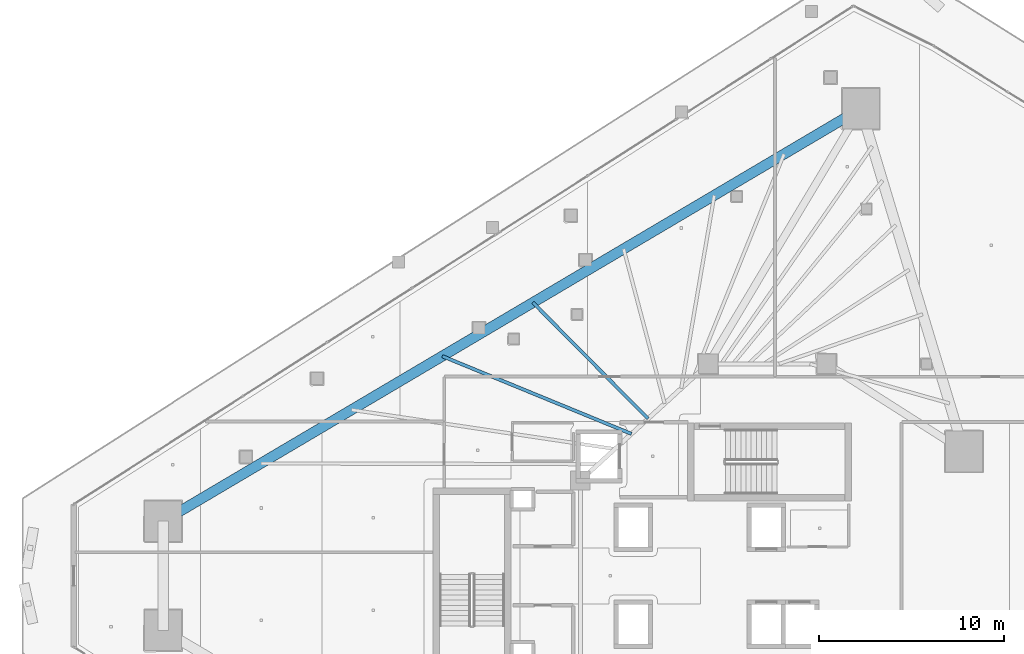
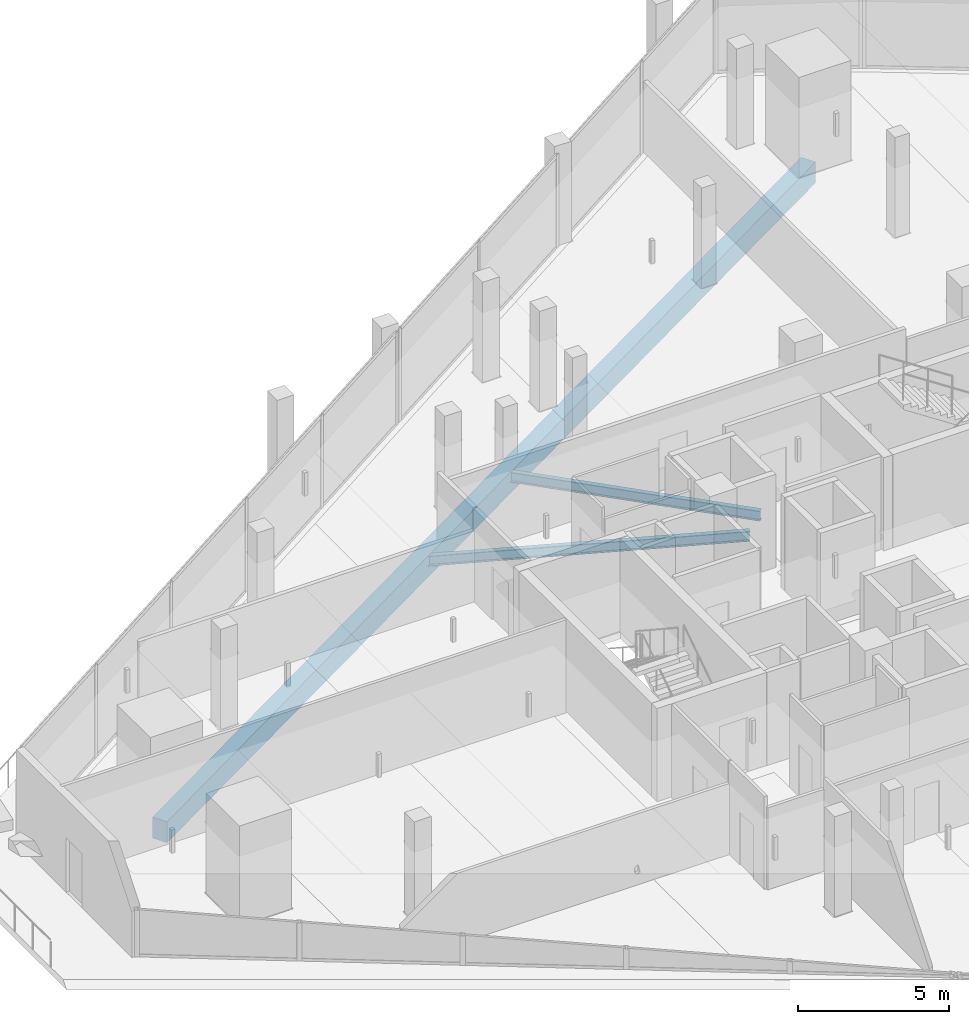
# One storey, part 16 of 42: 3 beams.
"""IFC4 building model written with IfcOpenShell, lengths in metres."""

from ifc_helpers import new_model, si_unit, direction, frame, origin, origin_2d, place, context, subcontext, project, spatial, rectangle, i_section, extrude, material, material_profile, profile_set, type_object, element, save


model = new_model("IFC4")

# Units and contexts
model_context = context("Model", 3, precision=1e-05, world=origin(), true_north=direction((0.0, 1.0)))
body_context = subcontext(model_context, "Body", "Model", "MODEL_VIEW")
ifc_project = project(units=[si_unit("LENGTHUNIT", "METRE"), si_unit("AREAUNIT", "SQUARE_METRE"), si_unit("VOLUMEUNIT", "CUBIC_METRE"), si_unit("PLANEANGLEUNIT", "RADIAN"), si_unit("MASSUNIT", "GRAM", prefix="KILO")], contexts=[model_context])

# Site, building, storey
site_placement = place(None, origin())
site = spatial("IfcSite", under=ifc_project, at=site_placement, CompositionType="ELEMENT")
building_placement = place(site_placement, origin())
building = spatial("IfcBuilding", under=site, at=building_placement, Name="Qorvath Tower", CompositionType="ELEMENT")
storey_placement = place(building_placement, frame((0.0, 0.0, 117.89990234375)))
storey = spatial("IfcBuildingStorey", under=building, at=storey_placement, Name="L26", CompositionType="ELEMENT", Elevation=117.89990234375)

# Beams
ifc_material_1 = material(Name="Steel ASTM A992 Grade 50", Category="steel")
ifc_material_profile_1 = material_profile(ifc_material_1, i_section(OverallWidth=0.177978515625, OverallDepth=0.406005859375, WebThickness=0.0078125, FlangeThickness=0.0126953125, FilletRadius=0.010986328125, at=origin_2d()), Name="W16x40")
ifc_profile_set_1 = profile_set([ifc_material_profile_1], Name="Steel ASTM A992 Grade 50")
beam_type_1 = type_object("IfcBeamType", Name="BM-FJ3", PredefinedType="JOIST", material=ifc_profile_set_1)
beam_1_placement = place(storey_placement, frame((-27.739990234375, 7.669921875, -0.48291015625), z_axis=(-0.925068176006, 0.379801092338, 0.0), x_axis=(-0.379801092338, -0.925068176006, 0.0)))
element("IfcBeam", 1, at=beam_1_placement, inside=storey, type_object=beam_type_1, Name="Composite Floor Joist NW3 L26", PredefinedType="JOIST", context=body_context, shape_type="SweptSolid", body=[
    extrude(i_section(OverallWidth=0.177978515625, OverallDepth=0.406005859375, WebThickness=0.0078125, FlangeThickness=0.0126953125, FilletRadius=0.010986328125, at=origin_2d()), origin(), (0.0, 0.0, 1.0), 11.0556640625),
])
beam_2_placement = place(storey_placement, frame((-26.843017578125, 8.489013671875, -0.48291015625), z_axis=(-0.70395121362, 0.710248328997, 0.0), x_axis=(-0.710248328997, -0.70395121362, 0.0)))
element("IfcBeam", 2, at=beam_2_placement, inside=storey, type_object=beam_type_1, Name="Composite Floor Joist NW4 L26", PredefinedType="JOIST", context=body_context, shape_type="SweptSolid", body=[
    extrude(i_section(OverallWidth=0.177978515625, OverallDepth=0.406005859375, WebThickness=0.0078125, FlangeThickness=0.0126953125, FilletRadius=0.010986328125, at=origin_2d()), origin(), (0.0, 0.0, 1.0), 8.839599609375),
])
ifc_material_2 = material(Name="Concrete C50/60", Category="concrete")
ifc_material_profile_2 = material_profile(ifc_material_2, rectangle(XDim=0.550048828125, YDim=0.85009765625, at=origin_2d()), Name="RCB 850x550")
ifc_profile_set_2 = profile_set([ifc_material_profile_2], Name="Concrete C50/60")
beam_type_2 = type_object("IfcBeamType", Name="BM-RCB2", PredefinedType="SPANDREL", material=ifc_profile_set_2)
beam_3_placement = place(storey_placement, frame((-15.34423828125, 25.24609375, -0.704833984375), z_axis=(-0.860775142889, -0.508985415689, 0.0), x_axis=(0.508985415689, -0.860775142889, 0.0)))
element("IfcBeam", 3, at=beam_3_placement, inside=storey, type_object=beam_type_2, Name="Perimeter Loggia Frame Beam MC6-MC1 L26", PredefinedType="SPANDREL", context=body_context, shape_type="SweptSolid", body=[
    extrude(rectangle(XDim=0.550048828125, YDim=0.85009765625, at=origin_2d()), origin(), (0.0, 0.0, 1.0), 43.8037109375),
])

save(model, "model.ifc")
